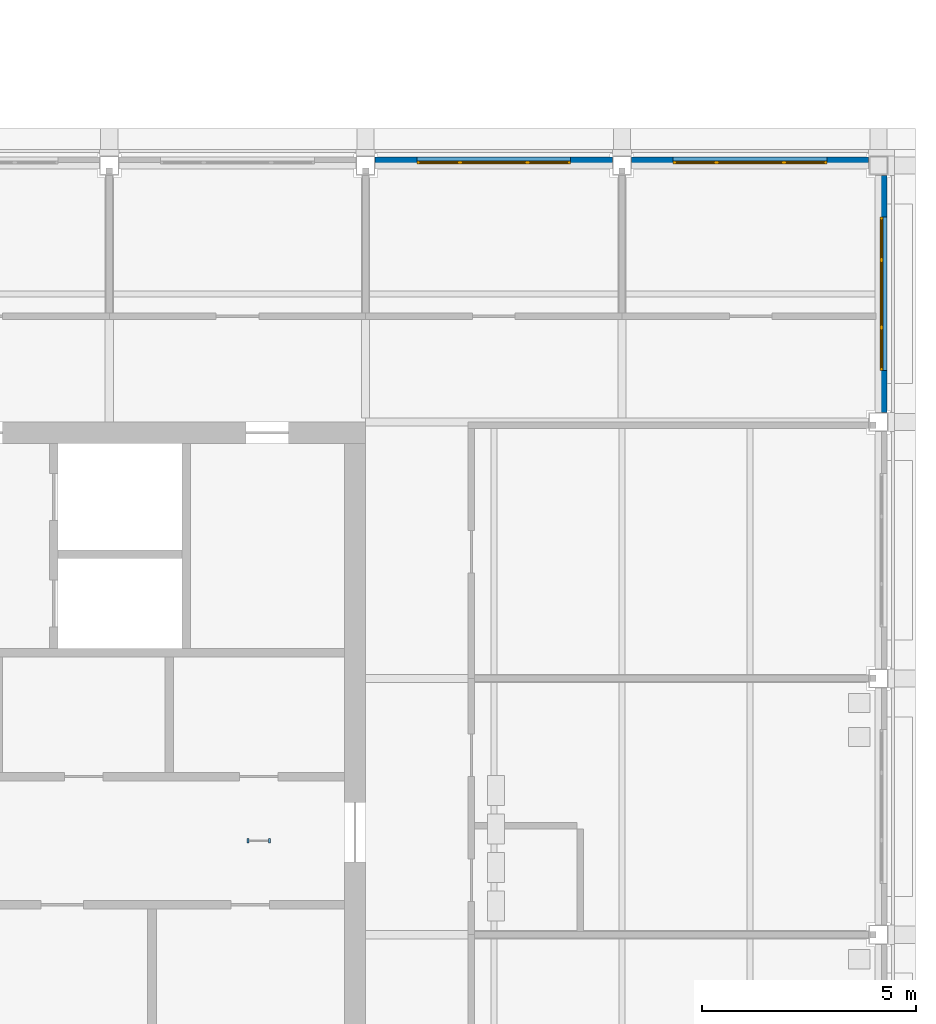
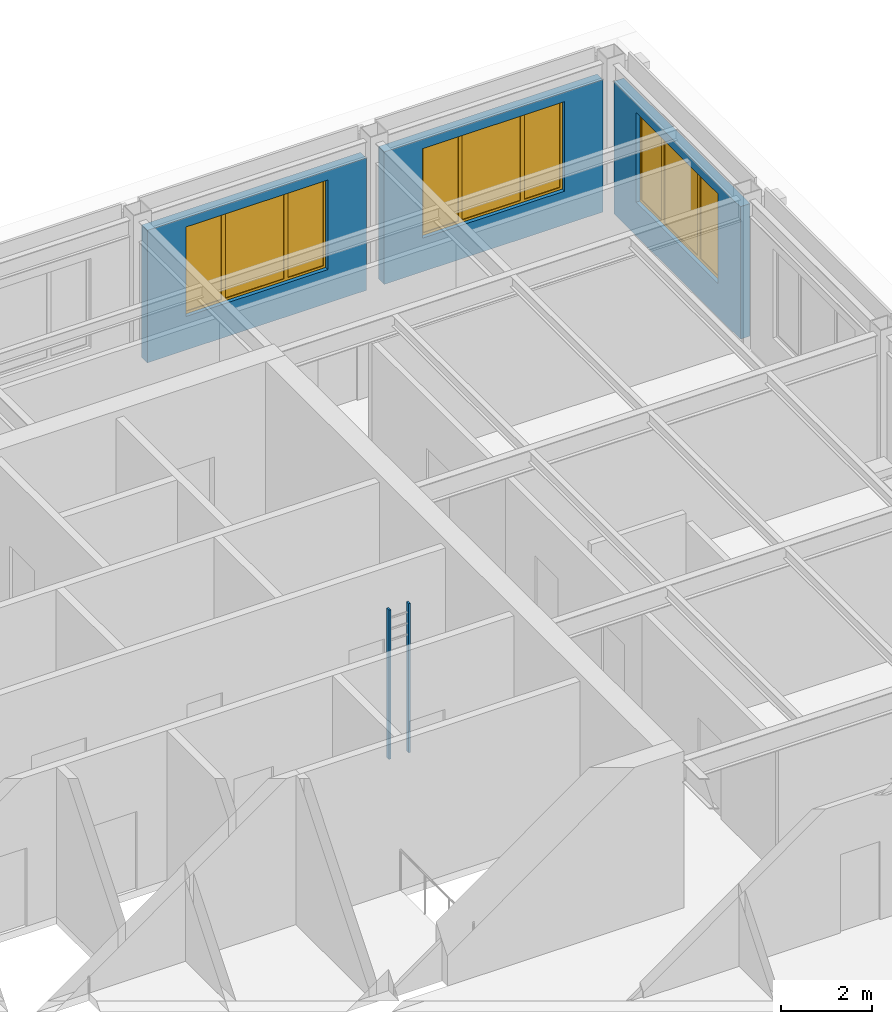
# One storey, part 64 of 82: 3 walls, 3 windows, 2 discrete accessories, 3 openings.
"""IFC4 building model written with IfcOpenShell, lengths in metres."""

import ifcopenshell
import ifcopenshell.guid

model = None  # the IFC model being written
_history = None  # IfcOwnerHistory: only IFC2X3 demands one
_inside = {}  # id of a spatial element -> (the spatial element, [elements in it])
_under = {}  # id of a project, library or spatial element -> (it, [spatial elements below it])
_declared = {}  # id of a project -> (the project, [libraries it declares])
_typed = {}  # id of a type object -> (the type object, [elements of that type])
_made_of = {}  # id of a material, layer set ... -> (it, [elements and type objects made of it])


def new_model(schema):
    """Start an empty IFC model of exactly this schema.

    Asked for "IFC4X3", IfcOpenShell would pick the latest addendum, in which some entities
    have other attributes; the version numbers below select the first issue.
    IFC2X3 requires an IfcOwnerHistory on every rooted entity: one is made here for all.
    """
    global model, _history
    if schema == "IFC4X3":
        model = ifcopenshell.file(schema_version=(4, 3, 0, 0))
    else:
        model = ifcopenshell.file(schema=schema)
    _inside.clear()
    _under.clear()
    _declared.clear()
    _typed.clear()
    _made_of.clear()
    _history = None
    if model.schema == "IFC2X3":
        org = make("IfcOrganization", Name="unknown")
        user = make(
            "IfcPersonAndOrganization",
            ThePerson=make("IfcPerson", FamilyName="unknown"),
            TheOrganization=org,
        )
        app = make(
            "IfcApplication",
            ApplicationDeveloper=org,
            Version="unknown",
            ApplicationFullName="unknown",
            ApplicationIdentifier="unknown",
        )
        _history = make(
            "IfcOwnerHistory",
            OwningUser=user,
            OwningApplication=app,
            ChangeAction="ADDED",
            CreationDate=0,
        )
    return model


def make(cls, **values):
    """One entity of the class cls with the attributes given. An attribute that is None is left unset."""
    return model.create_entity(
        cls, **{name: value for name, value in values.items() if value is not None}
    )


def rooted(cls, **values):
    """An entity with a GlobalId (a new one), such as an element, a storey or a relation."""
    return make(cls, GlobalId=ifcopenshell.guid.new(), OwnerHistory=_history, **values)


def si_unit(unit_type, name, prefix=None):
    """IfcSIUnit, for example si_unit("LENGTHUNIT", "METRE", prefix="MILLI")."""
    return make("IfcSIUnit", UnitType=unit_type, Prefix=prefix, Name=name)


def assignment(units):
    """IfcUnitAssignment: the units of a project."""
    return None if units is None else make("IfcUnitAssignment", Units=units)


def point(xyz):
    """IfcCartesianPoint."""
    return None if xyz is None else make("IfcCartesianPoint", Coordinates=xyz)


def direction(xyz):
    """IfcDirection."""
    return None if xyz is None else make("IfcDirection", DirectionRatios=xyz)


def frame(location, z_axis=None, x_axis=None):
    """IfcAxis2Placement3D, a coordinate frame: its origin and axes. An axis left out is left unset."""
    return make(
        "IfcAxis2Placement3D",
        Location=point(location),
        Axis=direction(z_axis),
        RefDirection=direction(x_axis),
    )


def frame_2d(location, x_axis=None):
    """IfcAxis2Placement2D, a coordinate frame in the plane: its origin and x axis."""
    return make(
        "IfcAxis2Placement2D", Location=point(location), RefDirection=direction(x_axis)
    )


def origin():
    """The frame at (0, 0, 0) with its axes left unset."""
    return frame((0.0, 0.0, 0.0))


def place(relative_to, where):
    """IfcLocalPlacement: puts the frame where relative to a parent placement (None: the world)."""
    return make(
        "IfcLocalPlacement", PlacementRelTo=relative_to, RelativePlacement=where
    )


def context(
    kind, dimensions, precision=None, world=None, true_north=None, identifier=None
):
    """IfcGeometricRepresentationContext, for example the 3D "Model" context."""
    return make(
        "IfcGeometricRepresentationContext",
        ContextIdentifier=identifier,
        ContextType=kind,
        CoordinateSpaceDimension=dimensions,
        Precision=precision,
        WorldCoordinateSystem=world,
        TrueNorth=true_north,
    )


def subcontext(parent, identifier, kind, view, scale=None):
    """IfcGeometricRepresentationSubContext, for example "Body" below "Model"."""
    return make(
        "IfcGeometricRepresentationSubContext",
        ContextIdentifier=identifier,
        ContextType=kind,
        ParentContext=parent,
        TargetScale=scale,
        TargetView=view,
    )


def project(units=None, contexts=None):
    """IfcProject with its units and contexts."""
    return rooted(
        "IfcProject",
        Name="project",
        RepresentationContexts=contexts,
        UnitsInContext=assignment(units),
    )


def spatial(cls, under=None, at=None, **own):
    """A site, building, storey or space (cls), placed at a placement, below another one or the project."""
    s = rooted(cls, ObjectPlacement=at, **own)
    if under is not None:
        _under.setdefault(under.id(), (under, []))[1].append(s)
    return s


def polyline(points):
    """IfcPolyline through the points."""
    return make("IfcPolyline", Points=[point(p) for p in points])


def profile(cls, at=None, kind="AREA", **sizes):
    """A parametric profile (cls). Its sizes go by their IFC names, for example OverallWidth=200.0."""
    return make(cls, ProfileType=kind, Position=at, **sizes)


def rectangle(**sizes):
    """IfcRectangleProfileDef."""
    return profile("IfcRectangleProfileDef", **sizes)


def outline(outer, holes=None, kind="AREA"):
    """IfcArbitraryClosedProfileDef: a profile drawn as a closed curve; with holes, ...WithVoids."""
    if holes is None:
        return make("IfcArbitraryClosedProfileDef", ProfileType=kind, OuterCurve=outer)
    return make(
        "IfcArbitraryProfileDefWithVoids",
        ProfileType=kind,
        OuterCurve=outer,
        InnerCurves=holes,
    )


def extrude(swept, where, along, depth):
    """IfcExtrudedAreaSolid: the profile swept, set in the frame where, extruded along a direction by depth."""
    return make(
        "IfcExtrudedAreaSolid",
        SweptArea=swept,
        Position=where,
        ExtrudedDirection=direction(along),
        Depth=depth,
    )


def shape(context_of_items, identifier, shape_type, items):
    """IfcShapeRepresentation: the items that make up one representation, for example the "Body"."""
    return make(
        "IfcShapeRepresentation",
        ContextOfItems=context_of_items,
        RepresentationIdentifier=identifier,
        RepresentationType=shape_type,
        Items=items,
    )


def material(Name=None, Category=None):
    """IfcMaterial."""
    return make("IfcMaterial", Name=Name, Category=Category)


def layer(
    of_material, thickness, ventilated=None, Name=None, Category=None, Priority=None
):
    """IfcMaterialLayer: one layer of a wall or slab, of a material (None: an air gap)."""
    return make(
        "IfcMaterialLayer",
        Material=of_material,
        LayerThickness=thickness,
        IsVentilated=ventilated,
        Name=Name,
        Category=Category,
        Priority=Priority,
    )


def layer_set(layers, Name=None):
    """IfcMaterialLayerSet."""
    return make("IfcMaterialLayerSet", MaterialLayers=layers, LayerSetName=Name)


def made_of(thing, what):
    """Note that an element or type object is made of a material, layer set ...; save() writes the relation."""
    if what is not None:
        _made_of.setdefault(what.id(), (what, []))[1].append(thing)
    return thing


def type_object(cls, material=None, **own):
    """A type object (cls), such as IfcWallType, which elements share."""
    return made_of(rooted(cls, **own), material)


def element(
    cls,
    number,
    at=None,
    inside=None,
    cuts=None,
    type_object=None,
    material=None,
    context=None,
    identifier="Body",
    shape_type=None,
    held_by="IfcProductDefinitionShape",
    body=None,
    shapes=None,
    **own,
):
    """One element of the class cls, such as IfcWall. Its Tag is "e" and its number.

    at: its placement. inside: the storey or other place that contains it. cuts: it is an
    opening in that element (IfcRelVoidsElement). A single representation is given by context,
    identifier, shape_type and body (its items); several are given by shapes. held_by: the class
    of the entity that holds the representations. save() writes the other relations.
    """
    e = rooted(cls, Tag="e%d" % number, ObjectPlacement=at, **own)
    if body is not None:
        shapes = [shape(context, identifier, shape_type, body)]
    if shapes is not None:
        e.Representation = make(held_by, Representations=shapes)
    if inside is not None:
        _inside.setdefault(inside.id(), (inside, []))[1].append(e)
    if cuts is not None:
        rooted(
            "IfcRelVoidsElement", RelatingBuildingElement=cuts, RelatedOpeningElement=e
        )
    if type_object is not None:
        _typed.setdefault(type_object.id(), (type_object, []))[1].append(e)
    return made_of(e, material)


def fill(opening, filler):
    """IfcRelFillsElement: the door or window that sits in an opening."""
    return rooted(
        "IfcRelFillsElement",
        RelatingOpeningElement=opening,
        RelatedBuildingElement=filler,
    )


def aggregate(whole, parts):
    """IfcRelAggregates: a whole, such as a stair, and the parts it consists of."""
    return rooted("IfcRelAggregates", RelatingObject=whole, RelatedObjects=parts)


def save(model, path):
    """Write the relations noted so far, then the file.

    IfcRelAggregates (storeys below a building ...), IfcRelContainedInSpatialStructure (elements
    in a storey), IfcRelDefinesByType, IfcRelAssociatesMaterial and IfcRelDeclares: one each for
    every whole, place, type object, material and project.
    """
    for whole, parts in _under.values():
        aggregate(whole, parts)
    for where, things in _inside.values():
        rooted(
            "IfcRelContainedInSpatialStructure",
            RelatedElements=things,
            RelatingStructure=where,
        )
    for kind, things in _typed.values():
        rooted("IfcRelDefinesByType", RelatedObjects=things, RelatingType=kind)
    for what, things in _made_of.values():
        rooted("IfcRelAssociatesMaterial", RelatedObjects=things, RelatingMaterial=what)
    for by, libraries in _declared.values():
        rooted("IfcRelDeclares", RelatingContext=by, RelatedDefinitions=libraries)
    model.write(path)


model = new_model("IFC4")

# Units and contexts
model_context = context("Model", 3, precision=1e-05, world=origin(), true_north=direction((0.0, 1.0)))
body_context = subcontext(model_context, "Body", "Model", "MODEL_VIEW")
ifc_project = project(units=[si_unit("LENGTHUNIT", "METRE"), si_unit("AREAUNIT", "SQUARE_METRE"), si_unit("VOLUMEUNIT", "CUBIC_METRE"), si_unit("PLANEANGLEUNIT", "RADIAN"), si_unit("MASSUNIT", "GRAM", prefix="KILO")], contexts=[model_context])

# Site, building, storey
site_placement = place(None, origin())
site = spatial("IfcSite", under=ifc_project, at=site_placement, CompositionType="ELEMENT")
building_placement = place(site_placement, origin())
building = spatial("IfcBuilding", under=site, at=building_placement, Name="Aravalli Gate Trade Fair Centre", CompositionType="ELEMENT")
storey_placement = place(building_placement, frame((0.0, 0.0, 19.199951171875)))
storey = spatial("IfcBuildingStorey", under=building, at=storey_placement, Name="L04", CompositionType="ELEMENT", Elevation=19.199951171875)

# Wall, opening, window
ifc_material_1 = material(Name="Concrete block masonry", Category="masonry")
ifc_layer_1 = layer(ifc_material_1, 0.2099609375, Name="Block masonry")
ifc_material_2 = material(Name="Terracotta cladding", Category="masonry")
ifc_layer_2 = layer(ifc_material_2, 0.0400390625, Name="Terracotta cladding")
ifc_layer_set = layer_set([ifc_layer_1, ifc_layer_2], Name="Wing terracotta clad infill wall 250")
wall_type = type_object("IfcWallType", Name="Wing terracotta clad infill wall 250", PredefinedType="SOLIDWALL", material=ifc_layer_set)
wall_1_placement = place(storey_placement, frame((190.22509765625, 127.074951171875, 0.0), z_axis=(0.0, 0.0, 1.0), x_axis=(1.0, 0.0, 0.0)))
wall_1 = element("IfcWall", 1, at=wall_1_placement, inside=storey, type_object=wall_type, Name="Facade wall N5 L04", PredefinedType="SOLIDWALL", context=body_context, shape_type="SweptSolid", body=[
    extrude(rectangle(XDim=5.5498046875, YDim=0.25, at=frame_2d((2.77490234375, 0.0))), origin(), (0.0, 0.0, 1.0), 3.550048828125),
])
opening_1_placement = place(wall_1_placement, frame((0.97509765625, 0.0, 0.89990234375)))
opening_1 = element("IfcOpeningElement", 2, at=opening_1_placement, cuts=wall_1, Name="Opening TWN1", PredefinedType="OPENING", context=body_context, shape_type="SweptSolid", body=[
    extrude(rectangle(XDim=3.60009765625, YDim=2.39990234375, at=frame_2d((1.800048828125, 1.199951171875))), frame((0.0, 0.135009765625, 0.0), z_axis=(0.0, -1.0, 0.0), x_axis=(1.0, 0.0, 0.0)), (0.0, 0.0, 1.0), 0.27001953125),
])
ifc_material_3 = material(Name="Aluminium and glass", Category="aluminium")
window_type = type_object("IfcWindowType", Name="Wing chicago window 3600 x 2400", PartitioningType="TRIPLE_PANEL_VERTICAL", PredefinedType="WINDOW", material=ifc_material_3)
window_1_placement = place(opening_1_placement, origin())
window_1 = element("IfcWindow", 3, at=window_1_placement, inside=storey, type_object=window_type, Name="Window N5 L04", OverallHeight=2.39990234375, OverallWidth=3.60009765625, PartitioningType="TRIPLE_PANEL_VERTICAL", PredefinedType="WINDOW", context=body_context, shape_type="SweptSolid", body=[
    extrude(outline(polyline([(0.0, 0.0), (3.60009765625, 0.0), (3.60009765625, 2.39990234375), (0.0, 2.39990234375), (0.0, 0.0)]), holes=[polyline([(0.06005859375, 0.06005859375), (0.9599609375, 0.06005859375), (0.9599609375, 2.33984375), (0.06005859375, 2.33984375), (0.06005859375, 0.06005859375)]), polyline([(1.06005859375, 0.06005859375), (2.539794921875, 0.06005859375), (2.539794921875, 2.33984375), (1.06005859375, 2.33984375), (1.06005859375, 0.06005859375)]), polyline([(2.639892578125, 0.06005859375), (3.539794921875, 0.06005859375), (3.539794921875, 2.33984375), (2.639892578125, 2.33984375), (2.639892578125, 0.06005859375)])]), frame((0.0, 0.030029296875, 0.0), z_axis=(0.0, -1.0, 0.0), x_axis=(1.0, 0.0, 0.0)), (0.0, 0.0, 1.0), 0.06005859375),
    extrude(rectangle(XDim=0.923828125, YDim=2.3037109375, at=frame_2d((0.510009765625, 1.199951171875))), frame((0.0, 0.010009765625, 0.0), z_axis=(0.0, -1.0, 0.0), x_axis=(1.0, 0.0, 0.0)), (0.0, 0.0, 1.0), 0.02001953125),
    extrude(rectangle(XDim=1.503662109375, YDim=2.3037109375, at=frame_2d((1.7998046875, 1.199951171875))), frame((0.0, 0.010009765625, 0.0), z_axis=(0.0, -1.0, 0.0), x_axis=(1.0, 0.0, 0.0)), (0.0, 0.0, 1.0), 0.02001953125),
    extrude(rectangle(XDim=0.923828125, YDim=2.3037109375, at=frame_2d((3.08984375, 1.199951171875))), frame((0.0, 0.010009765625, 0.0), z_axis=(0.0, -1.0, 0.0), x_axis=(1.0, 0.0, 0.0)), (0.0, 0.0, 1.0), 0.02001953125),
])
fill(opening_1, window_1)

wall_2_placement = place(storey_placement, frame((196.22509765625, 127.074951171875, 0.0), z_axis=(0.0, 0.0, 1.0), x_axis=(1.0, 0.0, 0.0)))
wall_2 = element("IfcWall", 4, at=wall_2_placement, inside=storey, type_object=wall_type, Name="Facade wall N6 L04", PredefinedType="SOLIDWALL", context=body_context, shape_type="SweptSolid", body=[
    extrude(rectangle(XDim=5.5498046875, YDim=0.25, at=frame_2d((2.77490234375, 0.0))), origin(), (0.0, 0.0, 1.0), 3.550048828125),
])
opening_2_placement = place(wall_2_placement, frame((0.97509765625, 0.0, 0.89990234375)))
opening_2 = element("IfcOpeningElement", 5, at=opening_2_placement, cuts=wall_2, Name="Opening TWN1", PredefinedType="OPENING", context=body_context, shape_type="SweptSolid", body=[
    extrude(rectangle(XDim=3.60009765625, YDim=2.39990234375, at=frame_2d((1.800048828125, 1.199951171875))), frame((0.0, 0.135009765625, 0.0), z_axis=(0.0, -1.0, 0.0), x_axis=(1.0, 0.0, 0.0)), (0.0, 0.0, 1.0), 0.27001953125),
])
window_2_placement = place(opening_2_placement, origin())
window_2 = element("IfcWindow", 6, at=window_2_placement, inside=storey, type_object=window_type, Name="Window N6 L04", OverallHeight=2.39990234375, OverallWidth=3.60009765625, PartitioningType="TRIPLE_PANEL_VERTICAL", PredefinedType="WINDOW", context=body_context, shape_type="SweptSolid", body=[
    extrude(outline(polyline([(0.0, 0.0), (3.60009765625, 0.0), (3.60009765625, 2.39990234375), (0.0, 2.39990234375), (0.0, 0.0)]), holes=[polyline([(0.06005859375, 0.06005859375), (0.9599609375, 0.06005859375), (0.9599609375, 2.33984375), (0.06005859375, 2.33984375), (0.06005859375, 0.06005859375)]), polyline([(1.06005859375, 0.06005859375), (2.539794921875, 0.06005859375), (2.539794921875, 2.33984375), (1.06005859375, 2.33984375), (1.06005859375, 0.06005859375)]), polyline([(2.639892578125, 0.06005859375), (3.539794921875, 0.06005859375), (3.539794921875, 2.33984375), (2.639892578125, 2.33984375), (2.639892578125, 0.06005859375)])]), frame((0.0, 0.030029296875, 0.0), z_axis=(0.0, -1.0, 0.0), x_axis=(1.0, 0.0, 0.0)), (0.0, 0.0, 1.0), 0.06005859375),
    extrude(rectangle(XDim=0.923828125, YDim=2.3037109375, at=frame_2d((0.510009765625, 1.199951171875))), frame((0.0, 0.010009765625, 0.0), z_axis=(0.0, -1.0, 0.0), x_axis=(1.0, 0.0, 0.0)), (0.0, 0.0, 1.0), 0.02001953125),
    extrude(rectangle(XDim=1.503662109375, YDim=2.3037109375, at=frame_2d((1.7998046875, 1.199951171875))), frame((0.0, 0.010009765625, 0.0), z_axis=(0.0, -1.0, 0.0), x_axis=(1.0, 0.0, 0.0)), (0.0, 0.0, 1.0), 0.02001953125),
    extrude(rectangle(XDim=0.923828125, YDim=2.3037109375, at=frame_2d((3.08984375, 1.199951171875))), frame((0.0, 0.010009765625, 0.0), z_axis=(0.0, -1.0, 0.0), x_axis=(1.0, 0.0, 0.0)), (0.0, 0.0, 1.0), 0.02001953125),
])
fill(opening_2, window_2)

wall_3_placement = place(storey_placement, frame((202.074951171875, 121.22509765625, 0.0), z_axis=(0.0, 0.0, 1.0), x_axis=(0.0, 1.0, 0.0)))
wall_3 = element("IfcWall", 7, at=wall_3_placement, inside=storey, type_object=wall_type, Name="Facade wall E5 L04", PredefinedType="SOLIDWALL", context=body_context, shape_type="SweptSolid", body=[
    extrude(rectangle(XDim=5.5498046875, YDim=0.25, at=frame_2d((2.77490234375, 0.0))), origin(), (0.0, 0.0, 1.0), 3.550048828125),
])
opening_3_placement = place(wall_3_placement, frame((0.97509765625, 0.0, 0.89990234375)))
opening_3 = element("IfcOpeningElement", 8, at=opening_3_placement, cuts=wall_3, Name="Opening TWN1", PredefinedType="OPENING", context=body_context, shape_type="SweptSolid", body=[
    extrude(rectangle(XDim=3.60009765625, YDim=2.39990234375, at=frame_2d((1.800048828125, 1.199951171875))), frame((0.0, 0.135009765625, 0.0), z_axis=(0.0, -1.0, 0.0), x_axis=(1.0, 0.0, 0.0)), (0.0, 0.0, 1.0), 0.27001953125),
])
window_3_placement = place(opening_3_placement, origin())
window_3 = element("IfcWindow", 9, at=window_3_placement, inside=storey, type_object=window_type, Name="Window E5 L04", OverallHeight=2.39990234375, OverallWidth=3.60009765625, PartitioningType="TRIPLE_PANEL_VERTICAL", PredefinedType="WINDOW", context=body_context, shape_type="SweptSolid", body=[
    extrude(outline(polyline([(0.0, 0.0), (3.60009765625, 0.0), (3.60009765625, 2.39990234375), (0.0, 2.39990234375), (0.0, 0.0)]), holes=[polyline([(0.06005859375, 0.06005859375), (0.9599609375, 0.06005859375), (0.9599609375, 2.33984375), (0.06005859375, 2.33984375), (0.06005859375, 0.06005859375)]), polyline([(1.06005859375, 0.06005859375), (2.539794921875, 0.06005859375), (2.539794921875, 2.33984375), (1.06005859375, 2.33984375), (1.06005859375, 0.06005859375)]), polyline([(2.639892578125, 0.06005859375), (3.539794921875, 0.06005859375), (3.539794921875, 2.33984375), (2.639892578125, 2.33984375), (2.639892578125, 0.06005859375)])]), frame((0.0, 0.030029296875, 0.0), z_axis=(0.0, -1.0, 0.0), x_axis=(1.0, 0.0, 0.0)), (0.0, 0.0, 1.0), 0.06005859375),
    extrude(rectangle(XDim=0.923828125, YDim=2.3037109375, at=frame_2d((0.510009765625, 1.199951171875))), frame((0.0, 0.010009765625, 0.0), z_axis=(0.0, -1.0, 0.0), x_axis=(1.0, 0.0, 0.0)), (0.0, 0.0, 1.0), 0.02001953125),
    extrude(rectangle(XDim=1.503662109375, YDim=2.3037109375, at=frame_2d((1.7998046875, 1.199951171875))), frame((0.0, 0.010009765625, 0.0), z_axis=(0.0, -1.0, 0.0), x_axis=(1.0, 0.0, 0.0)), (0.0, 0.0, 1.0), 0.02001953125),
    extrude(rectangle(XDim=0.923828125, YDim=2.3037109375, at=frame_2d((3.08984375, 1.199951171875))), frame((0.0, 0.010009765625, 0.0), z_axis=(0.0, -1.0, 0.0), x_axis=(1.0, 0.0, 0.0)), (0.0, 0.0, 1.0), 0.02001953125),
])
fill(opening_3, window_3)

# Discrete accessories
ifc_material_4 = material(Name="Steel E350", Category="steel")
discrete_accessory_type = type_object("IfcDiscreteAccessoryType", Name="Wing roof ladder part", PredefinedType="USERDEFINED", material=ifc_material_4)
discrete_accessory_1_placement = place(storey_placement, origin())
element("IfcDiscreteAccessory", 10, at=discrete_accessory_1_placement, inside=storey, type_object=discrete_accessory_type, Name="Roof ladder stringer 1", ObjectType="LADDER", PredefinedType="USERDEFINED", context=body_context, shape_type="SweptSolid", body=[
    extrude(outline(polyline([(187.22509765625, 111.14990234375), (187.27490234375, 111.14990234375), (187.27490234375, 111.25), (187.22509765625, 111.25), (187.22509765625, 111.14990234375)])), origin(), (0.0, 0.0, 1.0), 4.0),
])
discrete_accessory_2_placement = place(storey_placement, origin())
element("IfcDiscreteAccessory", 11, at=discrete_accessory_2_placement, inside=storey, type_object=discrete_accessory_type, Name="Roof ladder stringer 2", ObjectType="LADDER", PredefinedType="USERDEFINED", context=body_context, shape_type="SweptSolid", body=[
    extrude(outline(polyline([(187.72509765625, 111.14990234375), (187.77490234375, 111.14990234375), (187.77490234375, 111.25), (187.72509765625, 111.25), (187.72509765625, 111.14990234375)])), origin(), (0.0, 0.0, 1.0), 4.0),
])

save(model, "model.ifc")
